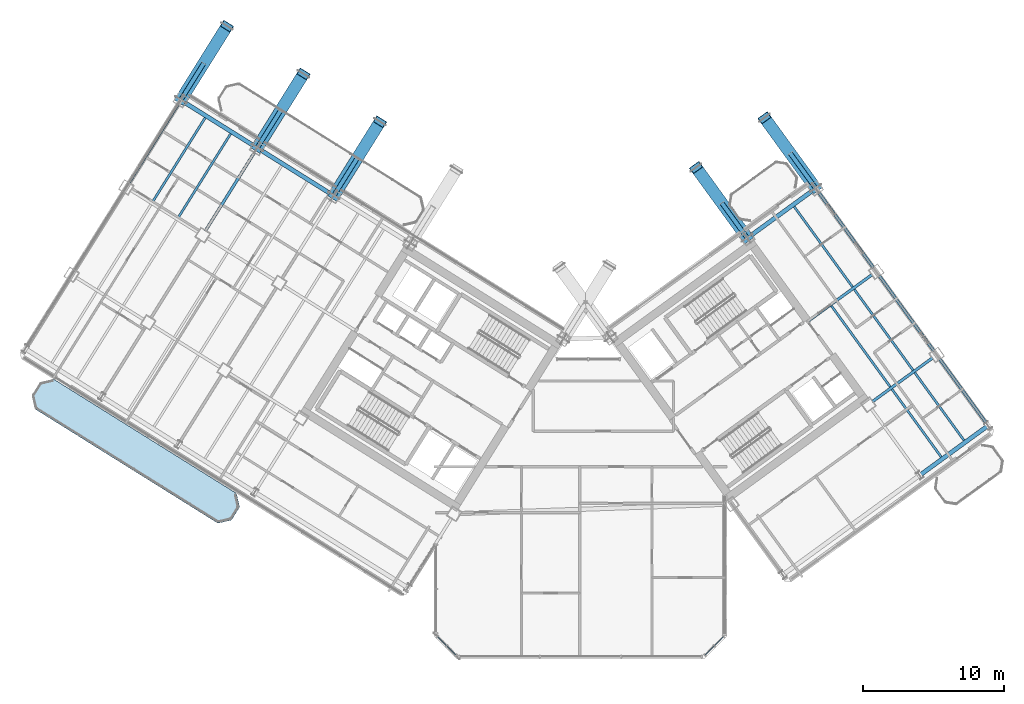
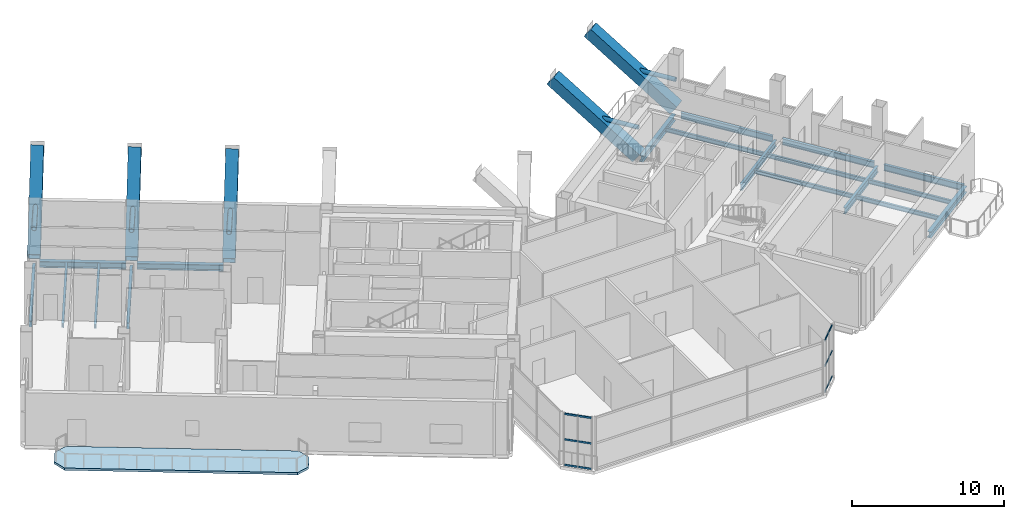
# One storey, part 13 of 34: 22 members, 18 beams, 1 slab, 2 elements without a shape of their own.
"""IFC4 building model written with IfcOpenShell, lengths in metres."""

from ifc_helpers import new_model, si_unit, direction, frame, origin, origin_2d, place, context, subcontext, project, spatial, polyline, hollow_rectangle, hollow_circle, i_section, outline, extrude, source, transform, mapped, material, layer, layer_set, material_profile, profile_set, type_object, element, aggregate, save


model = new_model("IFC4")

# Units and contexts
model_context = context("Model", 3, precision=1e-05, world=origin(), true_north=direction((0.0, 1.0)))
body_context = subcontext(model_context, "Body", "Model", "MODEL_VIEW")
ifc_project = project(units=[si_unit("LENGTHUNIT", "METRE"), si_unit("AREAUNIT", "SQUARE_METRE"), si_unit("VOLUMEUNIT", "CUBIC_METRE"), si_unit("PLANEANGLEUNIT", "RADIAN"), si_unit("MASSUNIT", "GRAM", prefix="KILO")], contexts=[model_context])

# Site, building, storey
site_placement = place(None, origin())
site = spatial("IfcSite", under=ifc_project, at=site_placement, CompositionType="ELEMENT")
building_placement = place(site_placement, origin())
building = spatial("IfcBuilding", under=site, at=building_placement, Name="Tlacorven Tower", CompositionType="ELEMENT")
storey_placement = place(building_placement, frame((0.0, 0.0, 174.89990234375)))
storey = spatial("IfcBuildingStorey", under=building, at=storey_placement, Name="L44", CompositionType="ELEMENT", Elevation=174.89990234375)

# Beam
ifc_material_1 = material(Name="Steel S355J2", Category="steel")
ifc_material_profile_1 = material_profile(ifc_material_1, i_section(OverallWidth=0.300048828125, OverallDepth=0.489990234375, WebThickness=0.011962890625, FlangeThickness=0.02294921875, at=origin_2d()), Name="HEA 500")
ifc_profile_set_1 = profile_set([ifc_material_profile_1], Name="Steel S355J2")
beam_type_1 = type_object("IfcBeamType", Name="BM-SPN-500", PredefinedType="SPANDREL", material=ifc_profile_set_1)
shared_shape_1 = source(origin(), body_context, "Body", "SweptSolid", [
    extrude(i_section(OverallWidth=0.300048828125, OverallDepth=0.489990234375, WebThickness=0.011962890625, FlangeThickness=0.02294921875, at=origin_2d()), origin(), (0.0, 0.0, 1.0), 5.800048828125),
])
beam_1_placement = place(storey_placement, frame((66.138671875, 14.86962890625, -0.494873046875), z_axis=(0.809019944521, 0.587781191743, 0.0), x_axis=(-0.587781191743, 0.809019944521, 0.0)))
element("IfcBeam", 1, at=beam_1_placement, inside=storey, type_object=beam_type_1, Name="L44 beam BM-L44-EL1-3", PredefinedType="SPANDREL", context=body_context, shape_type="MappedRepresentation", body=[
    mapped(shared_shape_1, transform((0.0, 0.0, 0.0), scale=1.0)),
])

# Members
ifc_material_2 = material(Name="Steel S460M", Category="steel")
ifc_material_profile_2 = material_profile(ifc_material_2, hollow_circle(Radius=0.161865234375, WallThickness=0.01611328125, at=origin_2d()), Name="CHS 323.9X16")
ifc_profile_set_2 = profile_set([ifc_material_profile_2], Name="Steel S460M")
member_type_1 = type_object("IfcMemberType", Name="MB-SHF-BRC", PredefinedType="BRACE", material=ifc_profile_set_2)
shared_shape_2 = source(origin(), body_context, "Body", "SweptSolid", [
    extrude(hollow_circle(Radius=0.161865234375, WallThickness=0.01611328125, at=origin_2d()), origin(), (0.0, 0.0, 1.0), 3.06005859375),
])
for number, where, z_axis, x_axis, name in (
    (2, (24.510986328125, 34.659912109375, 2.25), (0.529934393004, 0.848038642463, 0.0), (-0.848038642463, 0.529934393004, 0.0), "L44 Raking Strut Stabilising Web Brace W4"),
    (3, (19.08349609375, 38.05126953125, 2.25), (0.529934393004, 0.848038642463, 0.0), (-0.848038642463, 0.529934393004, 0.0), "L44 Raking Strut Stabilising Web Brace W5"),
    (4, (13.656005859375, 41.44287109375, 2.25), (0.529934393004, 0.848038642463, 0.0), (-0.848038642463, 0.529934393004, 0.0), "L44 Raking Strut Stabilising Web Brace W6"),
    (5, (58.67431640625, 35.181396484375, 2.25), (-0.587777877013, 0.809022352778, 0.0), (-0.809022352778, -0.587777877013, 0.0), "L44 Raking Strut Stabilising Web Brace E4"),
):
    element("IfcMember", number, at=place(storey_placement, frame(where, z_axis=z_axis, x_axis=x_axis)), inside=storey, type_object=member_type_1, Name=name, PredefinedType="BRACE", context=body_context, shape_type="MappedRepresentation", body=[
        mapped(shared_shape_2, transform((0.0, 0.0, 0.0), scale=1.0)),
    ])
shared_shape_3 = source(origin(), body_context, "Body", "SweptSolid", [
    extrude(hollow_circle(Radius=0.161865234375, WallThickness=0.01611328125, at=origin_2d()), origin(), (0.0, 0.0, 1.0), 3.060302734375),
])
member_1_placement = place(storey_placement, frame((53.8203125, 31.654541015625, 2.25), z_axis=(-0.587792156228, 0.809011978327, 0.0), x_axis=(-0.809011978327, -0.587792156228, 0.0)))
element("IfcMember", 6, at=member_1_placement, inside=storey, type_object=member_type_1, Name="L44 Raking Strut Stabilising Web Brace E3", PredefinedType="BRACE", context=body_context, shape_type="MappedRepresentation", body=[
    mapped(shared_shape_3, transform((0.0, 0.0, 0.0), scale=1.0)),
])
ifc_material_profile_3 = material_profile(ifc_material_2, hollow_rectangle(XDim=0.85009765625, YDim=0.85009765625, WallThickness=0.0400390625, at=origin_2d()), Name="BOX 850X850X40")
ifc_profile_set_3 = profile_set([ifc_material_profile_3], Name="Steel S460M")
member_type_2 = type_object("IfcMemberType", Name="MB-RAK-EXT", PredefinedType="STRUT", material=ifc_profile_set_3)
shared_shape_4 = source(origin(), body_context, "Body", "SweptSolid", [
    extrude(hollow_rectangle(XDim=0.85009765625, YDim=0.85009765625, WallThickness=0.0400390625, at=origin_2d()), origin(), (0.0, 0.0, 1.0), 7.620849609375),
])
for number, where, z_axis, x_axis, name in (
    (7, (24.509033203125, 34.656494140625, 0.011962890625), (0.428865308468, 0.686338266125, 0.587379206003), (-0.848051671646, 0.529913542211, 0.0), "L44 Block-Shift Raking Transfer Strut W4"),
    (8, (19.08154296875, 38.048095703125, 0.011962890625), (0.428865308468, 0.686338266125, 0.587379206003), (-0.848051671646, 0.529913542211, 0.0), "L44 Block-Shift Raking Transfer Strut W5"),
    (9, (13.654052734375, 41.439453125, 0.011962890625), (0.428865308468, 0.686338266125, 0.587379206003), (-0.848051671646, 0.529913542211, 0.0), "L44 Block-Shift Raking Transfer Strut W6"),
    (10, (53.822509765625, 31.651611328125, 0.011962890625), (-0.475700627431, 0.654749102528, 0.587377668796), (-0.809018428472, -0.587783278422, 0.0), "L44 Block-Shift Raking Transfer Strut E3"),
    (11, (58.676513671875, 35.17822265625, 0.011962890625), (-0.475700627431, 0.654749102528, 0.587377668796), (-0.809018428472, -0.587783278422, 0.0), "L44 Block-Shift Raking Transfer Strut E4"),
):
    element("IfcMember", number, at=place(storey_placement, frame(where, z_axis=z_axis, x_axis=x_axis)), inside=storey, type_object=member_type_2, Name=name, PredefinedType="STRUT", context=body_context, shape_type="MappedRepresentation", body=[
        mapped(shared_shape_4, transform((0.0, 0.0, 0.0), scale=1.0)),
    ])

# Beams
shared_shape_5 = source(origin(), body_context, "Body", "SweptSolid", [
    extrude(i_section(OverallWidth=0.300048828125, OverallDepth=0.489990234375, WebThickness=0.011962890625, FlangeThickness=0.02294921875, at=origin_2d()), origin(), (0.0, 0.0, 1.0), 5.7001953125),
])
for number, where, z_axis, x_axis, name in (
    (12, (24.20361328125, 34.828369140625, -0.494873046875), (-0.848056048787, 0.529906537151, 0.0), (-0.529906537151, -0.848056048787, 0.0), "L44 beam BM-L44-WL1-4"),
    (13, (18.776123046875, 38.2197265625, -0.494873046875), (-0.848056048787, 0.529906537151, 0.0), (-0.529906537151, -0.848056048787, 0.0), "L44 beam BM-L44-WL1-5"),
):
    element("IfcBeam", number, at=place(storey_placement, frame(where, z_axis=z_axis, x_axis=x_axis)), inside=storey, type_object=beam_type_1, Name=name, PredefinedType="SPANDREL", context=body_context, shape_type="MappedRepresentation", body=[
        mapped(shared_shape_5, transform((0.0, 0.0, 0.0), scale=1.0)),
    ])
ifc_material_profile_4 = material_profile(ifc_material_1, i_section(OverallWidth=0.199951171875, OverallDepth=0.5, WebThickness=0.01025390625, FlangeThickness=0.01611328125, at=origin_2d()), Name="IPE 500")
ifc_profile_set_4 = profile_set([ifc_material_profile_4], Name="Steel S355J2")
beam_type_2 = type_object("IfcBeamType", Name="BM-TWR-500", PredefinedType="BEAM", material=ifc_profile_set_4)
shared_shape_6 = source(origin(), body_context, "Body", "SweptSolid", [
    extrude(i_section(OverallWidth=0.199951171875, OverallDepth=0.5, WebThickness=0.01025390625, FlangeThickness=0.01611328125, at=origin_2d()), origin(), (0.0, 0.0, 1.0), 5.75),
])
beam_2_placement = place(storey_placement, frame((70.853271484375, 18.41845703125, -0.5), z_axis=(-0.587797998499, 0.80900773356, 0.0), x_axis=(-0.80900773356, -0.587797998499, 0.0)))
element("IfcBeam", 14, at=beam_2_placement, inside=storey, type_object=beam_type_2, Name="L44 beam BM-L44-ET4-1", PredefinedType="BEAM", context=body_context, shape_type="MappedRepresentation", body=[
    mapped(shared_shape_6, transform((0.0, 0.0, 0.0), scale=1.0)),
])
shared_shape_7 = source(origin(), body_context, "Body", "SweptSolid", [
    extrude(i_section(OverallWidth=0.199951171875, OverallDepth=0.5, WebThickness=0.01025390625, FlangeThickness=0.01611328125, at=origin_2d()), origin(), (0.0, 0.0, 1.0), 6.599853515625),
])
beam_3_placement = place(storey_placement, frame((13.4599609375, 41.12890625, -0.5), z_axis=(-0.529942412256, -0.848033631227, 0.0), x_axis=(0.848033631227, -0.529942412256, 0.0)))
element("IfcBeam", 15, at=beam_3_placement, inside=storey, type_object=beam_type_2, Name="L44 beam BM-L44-WT6-1", PredefinedType="BEAM", context=body_context, shape_type="MappedRepresentation", body=[
    mapped(shared_shape_7, transform((0.0, 0.0, 0.0), scale=1.0)),
])
shared_shape_8 = source(origin(), body_context, "Body", "SweptSolid", [
    extrude(i_section(OverallWidth=0.199951171875, OverallDepth=0.5, WebThickness=0.01025390625, FlangeThickness=0.01611328125, at=origin_2d()), origin(), (0.0, 0.0, 1.0), 6.60009765625),
])
for number, where, z_axis, x_axis, name in (
    (16, (18.887451171875, 37.737548828125, -0.5), (-0.529925788294, -0.848044019436, 0.0), (0.848044019436, -0.529925788294, 0.0), "L44 beam BM-L44-WT5-1"),
    (17, (67.06201171875, 23.63671875, -0.5), (-0.587780128583, 0.809020716943, 0.0), (-0.809020716943, -0.587780128583, 0.0), "L44 beam BM-L44-ET4-2"),
    (18, (62.771240234375, 29.54248046875, -0.5), (-0.587780128583, 0.809020716943, 0.0), (-0.809020716943, -0.587780128583, 0.0), "L44 beam BM-L44-ET4-3"),
):
    element("IfcBeam", number, at=place(storey_placement, frame(where, z_axis=z_axis, x_axis=x_axis)), inside=storey, type_object=beam_type_2, Name=name, PredefinedType="BEAM", context=body_context, shape_type="MappedRepresentation", body=[
        mapped(shared_shape_8, transform((0.0, 0.0, 0.0), scale=1.0)),
    ])
shared_shape_9 = source(origin(), body_context, "Body", "SweptSolid", [
    extrude(i_section(OverallWidth=0.199951171875, OverallDepth=0.5, WebThickness=0.01025390625, FlangeThickness=0.01611328125, at=origin_2d()), origin(), (0.0, 0.0, 1.0), 5.300048828125),
])
beam_4_placement = place(storey_placement, frame((62.69677734375, 20.032470703125, -0.5), z_axis=(0.809022830186, 0.587777219904, 0.0), x_axis=(-0.587777219904, 0.809022830186, 0.0)))
element("IfcBeam", 19, at=beam_4_placement, inside=storey, type_object=beam_type_2, Name="L44 beam BM-L44-EL2-3", PredefinedType="BEAM", context=body_context, shape_type="MappedRepresentation", body=[
    mapped(shared_shape_9, transform((0.0, 0.0, 0.0), scale=1.0)),
])
shared_shape_10 = source(origin(), body_context, "Body", "SweptSolid", [
    extrude(i_section(OverallWidth=0.199951171875, OverallDepth=0.5, WebThickness=0.01025390625, FlangeThickness=0.01611328125, at=origin_2d()), origin(), (0.0, 0.0, 1.0), 5.6103515625),
])
beam_5_placement = place(storey_placement, frame((58.155029296875, 25.756103515625, -0.5), z_axis=(0.809020142627, 0.587780919071, 0.0), x_axis=(-0.587780919071, 0.809020142627, 0.0)))
element("IfcBeam", 20, at=beam_5_placement, inside=storey, type_object=beam_type_2, Name="L44 beam BM-L44-EL3-3", PredefinedType="BEAM", context=body_context, shape_type="MappedRepresentation", body=[
    mapped(shared_shape_10, transform((0.0, 0.0, 0.0), scale=1.0)),
])
shared_shape_11 = source(origin(), body_context, "Body", "SweptSolid", [
    extrude(i_section(OverallWidth=0.300048828125, OverallDepth=0.489990234375, WebThickness=0.011962890625, FlangeThickness=0.02294921875, at=origin_2d()), origin(), (0.0, 0.0, 1.0), 5.300048828125),
])
beam_6_placement = place(storey_placement, frame((54.114990234375, 31.84423828125, -0.494873046875), z_axis=(0.809022830186, 0.587777219904, 0.0), x_axis=(-0.587777219904, 0.809022830186, 0.0)))
element("IfcBeam", 21, at=beam_6_placement, inside=storey, type_object=beam_type_1, Name="L44 beam BM-L44-EL4-3", PredefinedType="SPANDREL", context=body_context, shape_type="MappedRepresentation", body=[
    mapped(shared_shape_11, transform((0.0, 0.0, 0.0), scale=1.0)),
])
ifc_material_profile_5 = material_profile(ifc_material_1, i_section(OverallWidth=0.159912109375, OverallDepth=0.330078125, WebThickness=0.007568359375, FlangeThickness=0.011474609375, at=origin_2d()), Name="IPE 330")
ifc_profile_set_5 = profile_set([ifc_material_profile_5], Name="Steel S355J2")
beam_type_3 = type_object("IfcBeamType", Name="BM-JST-330", PredefinedType="JOIST", material=ifc_profile_set_5)
shared_shape_12 = source(origin(), body_context, "Body", "SweptSolid", [
    extrude(i_section(OverallWidth=0.159912109375, OverallDepth=0.330078125, WebThickness=0.007568359375, FlangeThickness=0.011474609375, at=origin_2d()), origin(), (0.0, 0.0, 1.0), 7.0400390625),
])
beam_7_placement = place(storey_placement, frame((61.297119140625, 28.168701171875, -0.414794921875), z_axis=(-0.587773661987, 0.809025415098, 0.0), x_axis=(-0.809025415098, -0.587773661987, 0.0)))
element("IfcBeam", 22, at=beam_7_placement, inside=storey, type_object=beam_type_3, Name="L44 beam BM-L44-EJ3-3-2", PredefinedType="JOIST", context=body_context, shape_type="MappedRepresentation", body=[
    mapped(shared_shape_12, transform((0.0, 0.0, 0.0), scale=1.0)),
])
shared_shape_13 = source(origin(), body_context, "Body", "SweptSolid", [
    extrude(i_section(OverallWidth=0.159912109375, OverallDepth=0.330078125, WebThickness=0.007568359375, FlangeThickness=0.011474609375, at=origin_2d()), origin(), (0.0, 0.0, 1.0), 5.940185546875),
])
for number, where, z_axis, x_axis, name in (
    (23, (67.584716796875, 16.11181640625, -0.414794921875), (-0.587778174144, 0.809022136903, 0.0), (-0.809022136903, -0.587778174144, 0.0), "L44 beam BM-L44-EJ3-1-1"),
    (24, (69.202880859375, 17.287353515625, -0.414794921875), (-0.587778174144, 0.809022136903, 0.0), (-0.809022136903, -0.587778174144, 0.0), "L44 beam BM-L44-EJ3-1-2"),
):
    element("IfcBeam", number, at=place(storey_placement, frame(where, z_axis=z_axis, x_axis=x_axis)), inside=storey, type_object=beam_type_3, Name=name, PredefinedType="JOIST", context=body_context, shape_type="MappedRepresentation", body=[
        mapped(shared_shape_13, transform((0.0, 0.0, 0.0), scale=1.0)),
    ])
shared_shape_14 = source(origin(), body_context, "Body", "SweptSolid", [
    extrude(i_section(OverallWidth=0.159912109375, OverallDepth=0.330078125, WebThickness=0.007568359375, FlangeThickness=0.011474609375, at=origin_2d()), origin(), (0.0, 0.0, 1.0), 7.090087890625),
])
beam_8_placement = place(storey_placement, frame((63.969970703125, 21.08740234375, -0.414794921875), z_axis=(-0.587798996789, 0.809007008235, 0.0), x_axis=(-0.809007008235, -0.587798996789, 0.0)))
element("IfcBeam", 25, at=beam_8_placement, inside=storey, type_object=beam_type_3, Name="L44 beam BM-L44-EJ3-2-1", PredefinedType="JOIST", context=body_context, shape_type="MappedRepresentation", body=[
    mapped(shared_shape_14, transform((0.0, 0.0, 0.0), scale=1.0)),
])
shared_shape_15 = source(origin(), body_context, "Body", "SweptSolid", [
    extrude(i_section(OverallWidth=0.159912109375, OverallDepth=0.330078125, WebThickness=0.007568359375, FlangeThickness=0.011474609375, at=origin_2d()), origin(), (0.0, 0.0, 1.0), 7.08984375),
])
beam_9_placement = place(storey_placement, frame((65.587890625, 22.262939453125, -0.414794921875), z_axis=(-0.587776458909, 0.809023383069, 0.0), x_axis=(-0.809023383069, -0.587776458909, 0.0)))
element("IfcBeam", 26, at=beam_9_placement, inside=storey, type_object=beam_type_3, Name="L44 beam BM-L44-EJ3-2-2", PredefinedType="JOIST", context=body_context, shape_type="MappedRepresentation", body=[
    mapped(shared_shape_15, transform((0.0, 0.0, 0.0), scale=1.0)),
])
shared_shape_16 = source(origin(), body_context, "Body", "SweptSolid", [
    extrude(i_section(OverallWidth=0.159912109375, OverallDepth=0.330078125, WebThickness=0.007568359375, FlangeThickness=0.011474609375, at=origin_2d()), origin(), (0.0, 0.0, 1.0), 7.040283203125),
])
beam_10_placement = place(storey_placement, frame((17.181640625, 39.033447265625, -0.414794921875), z_axis=(-0.529914775015, -0.848050901315, 0.0), x_axis=(0.848050901315, -0.529914775015, 0.0)))
element("IfcBeam", 27, at=beam_10_placement, inside=storey, type_object=beam_type_3, Name="L44 beam BM-L44-WJ5-1-1", PredefinedType="JOIST", context=body_context, shape_type="MappedRepresentation", body=[
    mapped(shared_shape_16, transform((0.0, 0.0, 0.0), scale=1.0)),
])
shared_shape_17 = source(origin(), body_context, "Body", "SweptSolid", [
    extrude(i_section(OverallWidth=0.159912109375, OverallDepth=0.330078125, WebThickness=0.007568359375, FlangeThickness=0.011474609375, at=origin_2d()), origin(), (0.0, 0.0, 1.0), 7.039794921875),
])
beam_11_placement = place(storey_placement, frame((15.372314453125, 40.163818359375, -0.414794921875), z_axis=(-0.529905418558, -0.848056747737, 0.0), x_axis=(0.848056747737, -0.529905418558, 0.0)))
element("IfcBeam", 28, at=beam_11_placement, inside=storey, type_object=beam_type_3, Name="L44 beam BM-L44-WJ5-1-2", PredefinedType="JOIST", context=body_context, shape_type="MappedRepresentation", body=[
    mapped(shared_shape_17, transform((0.0, 0.0, 0.0), scale=1.0)),
])

# Curtain wall, members
ifc_material_3 = material(Name="Dark solar low-E double glazing in aluminium frame", Category="aluminium")
curtain_wall_type = type_object("IfcCurtainWallType", Name="CW-TWR-MID", PredefinedType="USERDEFINED", material=ifc_material_3)
curtain_wall_1_placement = place(storey_placement, origin())
curtain_wall_1 = element("IfcCurtainWall", 29, at=curtain_wall_1_placement, inside=storey, type_object=curtain_wall_type, Name="L44 CW-TWR-MID Curtain Wall 202", ObjectType="UNITISED CURTAIN WALL", PredefinedType="USERDEFINED")
ifc_material_4 = material(Name="Aluminium 6063-T6 anodised", Category="aluminium")
ifc_material_profile_6 = material_profile(ifc_material_4, hollow_rectangle(XDim=0.06005859375, YDim=0.139892578125, WallThickness=0.00390625, at=origin_2d()), Name="ALU TRANSOM 60X140")
ifc_profile_set_6 = profile_set([ifc_material_profile_6], Name="Aluminium 6063-T6 anodised")
member_type_3 = type_object("IfcMemberType", Name="CWT-02", PredefinedType="USERDEFINED", material=ifc_profile_set_6)
shared_shape_18 = source(origin(), body_context, "Body", "SweptSolid", [
    extrude(hollow_rectangle(XDim=0.06005859375, YDim=0.139892578125, WallThickness=0.00390625, at=origin_2d()), origin(), (0.0, 0.0, 1.0), 0.8916015625),
])
member_2_placement = place(storey_placement, frame((52.1318359375, 3.358154296875, 0.070068359375), z_axis=(-0.706969864397, -0.70724367147, 0.0), x_axis=(0.70724367147, -0.706969864397, 0.0)))
member_2 = element("IfcMember", 30, at=member_2_placement, type_object=member_type_3, Name="CW-L44-202 Transom 1", ObjectType="TRANSOM", PredefinedType="USERDEFINED", context=body_context, shape_type="MappedRepresentation", body=[
    mapped(shared_shape_18, transform((0.0, 0.0, 0.0), scale=1.0)),
])
member_3_placement = place(storey_placement, frame((52.1318359375, 3.358154296875, 2.110107421875), z_axis=(-0.706969864397, -0.70724367147, 0.0), x_axis=(0.70724367147, -0.706969864397, 0.0)))
member_3 = element("IfcMember", 31, at=member_3_placement, type_object=member_type_3, Name="CW-L44-202 Transom 2", ObjectType="TRANSOM", PredefinedType="USERDEFINED", context=body_context, shape_type="MappedRepresentation", body=[
    mapped(shared_shape_18, transform((0.0, 0.0, 0.0), scale=1.0)),
])
member_4_placement = place(storey_placement, frame((52.1318359375, 3.358154296875, 4.150146484375), z_axis=(-0.706969864397, -0.70724367147, 0.0), x_axis=(0.70724367147, -0.706969864397, 0.0)))
member_4 = element("IfcMember", 32, at=member_4_placement, type_object=member_type_3, Name="CW-L44-202 Transom 3", ObjectType="TRANSOM", PredefinedType="USERDEFINED", context=body_context, shape_type="MappedRepresentation", body=[
    mapped(shared_shape_18, transform((0.0, 0.0, 0.0), scale=1.0)),
])

curtain_wall_2_placement = place(storey_placement, origin())
curtain_wall_2 = element("IfcCurtainWall", 33, at=curtain_wall_2_placement, inside=storey, type_object=curtain_wall_type, Name="L44 CW-TWR-MID Curtain Wall 204", ObjectType="UNITISED CURTAIN WALL", PredefinedType="USERDEFINED")
member_5_placement = place(storey_placement, frame((32.49853515625, 2.7275390625, 0.070068359375), z_axis=(-0.706969864397, 0.70724367147, 0.0), x_axis=(-0.70724367147, -0.706969864397, 0.0)))
member_5 = element("IfcMember", 34, at=member_5_placement, type_object=member_type_3, Name="CW-L44-204 Transom 4", ObjectType="TRANSOM", PredefinedType="USERDEFINED", context=body_context, shape_type="MappedRepresentation", body=[
    mapped(shared_shape_18, transform((0.0, 0.0, 0.0), scale=1.0)),
])
member_6_placement = place(storey_placement, frame((32.49853515625, 2.7275390625, 2.110107421875), z_axis=(-0.706969864397, 0.70724367147, 0.0), x_axis=(-0.70724367147, -0.706969864397, 0.0)))
member_6 = element("IfcMember", 35, at=member_6_placement, type_object=member_type_3, Name="CW-L44-204 Transom 5", ObjectType="TRANSOM", PredefinedType="USERDEFINED", context=body_context, shape_type="MappedRepresentation", body=[
    mapped(shared_shape_18, transform((0.0, 0.0, 0.0), scale=1.0)),
])
member_7_placement = place(storey_placement, frame((32.49853515625, 2.7275390625, 4.150146484375), z_axis=(-0.706969864397, 0.70724367147, 0.0), x_axis=(-0.70724367147, -0.706969864397, 0.0)))
member_7 = element("IfcMember", 36, at=member_7_placement, type_object=member_type_3, Name="CW-L44-204 Transom 6", ObjectType="TRANSOM", PredefinedType="USERDEFINED", context=body_context, shape_type="MappedRepresentation", body=[
    mapped(shared_shape_18, transform((0.0, 0.0, 0.0), scale=1.0)),
])

# Member
shared_shape_19 = source(origin(), body_context, "Body", "SweptSolid", [
    extrude(hollow_rectangle(XDim=0.06005859375, YDim=0.139892578125, WallThickness=0.00390625, at=origin_2d()), origin(), (0.0, 0.0, 1.0), 0.891845703125),
])
member_8_placement = place(storey_placement, frame((51.472412109375, 2.69873046875, 0.070068359375), z_axis=(-0.707106781187, -0.707106781187, 0.0), x_axis=(0.707106781187, -0.707106781187, 0.0)))
member_8 = element("IfcMember", 37, at=member_8_placement, type_object=member_type_3, Name="CW-L44-202 Transom 4", ObjectType="TRANSOM", PredefinedType="USERDEFINED", context=body_context, shape_type="MappedRepresentation", body=[
    mapped(shared_shape_19, transform((0.0, 0.0, 0.0), scale=1.0)),
])

member_9_placement = place(storey_placement, frame((51.472412109375, 2.69873046875, 2.110107421875), z_axis=(-0.707106781187, -0.707106781187, 0.0), x_axis=(0.707106781187, -0.707106781187, 0.0)))
member_9 = element("IfcMember", 38, at=member_9_placement, type_object=member_type_3, Name="CW-L44-202 Transom 5", ObjectType="TRANSOM", PredefinedType="USERDEFINED", context=body_context, shape_type="MappedRepresentation", body=[
    mapped(shared_shape_19, transform((0.0, 0.0, 0.0), scale=1.0)),
])

member_10_placement = place(storey_placement, frame((51.472412109375, 2.69873046875, 4.150146484375), z_axis=(-0.707106781187, -0.707106781187, 0.0), x_axis=(0.707106781187, -0.707106781187, 0.0)))
member_10 = element("IfcMember", 39, at=member_10_placement, type_object=member_type_3, Name="CW-L44-202 Transom 6", ObjectType="TRANSOM", PredefinedType="USERDEFINED", context=body_context, shape_type="MappedRepresentation", body=[
    mapped(shared_shape_19, transform((0.0, 0.0, 0.0), scale=1.0)),
])

aggregate(curtain_wall_1, [member_2, member_3, member_4, member_8, member_9, member_10])

member_11_placement = place(storey_placement, frame((33.158203125, 2.068115234375, 0.070068359375), z_axis=(-0.707106781187, 0.707106781187, 0.0), x_axis=(-0.707106781187, -0.707106781187, 0.0)))
member_11 = element("IfcMember", 40, at=member_11_placement, type_object=member_type_3, Name="CW-L44-204 Transom 1", ObjectType="TRANSOM", PredefinedType="USERDEFINED", context=body_context, shape_type="MappedRepresentation", body=[
    mapped(shared_shape_19, transform((0.0, 0.0, 0.0), scale=1.0)),
])

member_12_placement = place(storey_placement, frame((33.158203125, 2.068115234375, 2.110107421875), z_axis=(-0.707106781187, 0.707106781187, 0.0), x_axis=(-0.707106781187, -0.707106781187, 0.0)))
member_12 = element("IfcMember", 41, at=member_12_placement, type_object=member_type_3, Name="CW-L44-204 Transom 2", ObjectType="TRANSOM", PredefinedType="USERDEFINED", context=body_context, shape_type="MappedRepresentation", body=[
    mapped(shared_shape_19, transform((0.0, 0.0, 0.0), scale=1.0)),
])

member_13_placement = place(storey_placement, frame((33.158203125, 2.068115234375, 4.150146484375), z_axis=(-0.707106781187, 0.707106781187, 0.0), x_axis=(-0.707106781187, -0.707106781187, 0.0)))
member_13 = element("IfcMember", 42, at=member_13_placement, type_object=member_type_3, Name="CW-L44-204 Transom 3", ObjectType="TRANSOM", PredefinedType="USERDEFINED", context=body_context, shape_type="MappedRepresentation", body=[
    mapped(shared_shape_19, transform((0.0, 0.0, 0.0), scale=1.0)),
])

aggregate(curtain_wall_2, [member_11, member_12, member_13, member_5, member_6, member_7])

# Slab
ifc_material_5 = material(Name="Precast concrete C45/55", Category="concrete")
ifc_layer = layer(ifc_material_5, 0.179931640625)
ifc_layer_set = layer_set([ifc_layer], Name="Precast concrete C45/55")
slab_type = type_object("IfcSlabType", Name="SL-BAL-180", PredefinedType="USERDEFINED", material=ifc_layer_set)
slab_placement = place(storey_placement, frame((0.0, 0.0, -0.179931640625)))
element("IfcSlab", 43, at=slab_placement, inside=storey, type_object=slab_type, Name="L44 West Wing Balcony Ribbon OUT", ObjectType="BALCONY SLAB", PredefinedType="USERDEFINED", context=body_context, shape_type="SweptSolid", body=[
    extrude(outline(polyline([(17.601318359375, 13.52490234375), (4.626220703125, 21.632568359375), (3.66162109375, 21.409912109375), (3.081298828125, 20.4814453125), (3.303955078125, 19.516845703125), (16.279052734375, 11.408935546875), (17.24365234375, 11.6318359375), (17.823974609375, 12.560302734375), (17.601318359375, 13.52490234375)])), origin(), (0.0, 0.0, 1.0), 0.179931640625),
])

save(model, "model.ifc")
